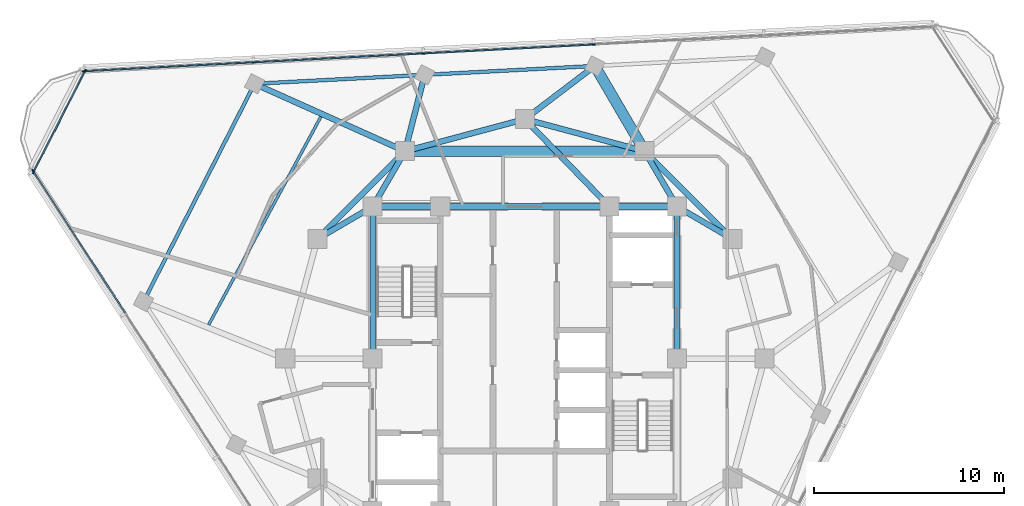
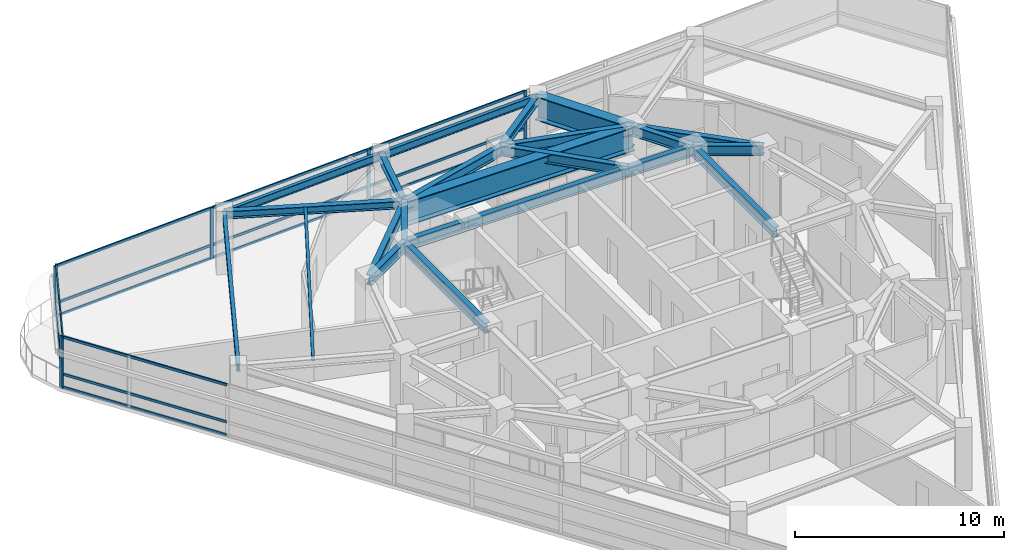
# One storey, part 5 of 15: 23 beams, 22 members, 3 elements without a shape of their own.
"""IFC4 building model written with IfcOpenShell, lengths in metres."""

from ifc_helpers import new_model, si_unit, direction, frame, origin, origin_2d, place, context, subcontext, project, spatial, rectangle, i_section, extrude, material, layer, layer_set, material_profile, profile_set, type_object, element, aggregate, save


model = new_model("IFC4")

# Units and contexts
model_context = context("Model", 3, precision=1e-05, world=origin(), true_north=direction((0.0, 1.0)))
body_context = subcontext(model_context, "Body", "Model", "MODEL_VIEW")
ifc_project = project(units=[si_unit("LENGTHUNIT", "METRE"), si_unit("AREAUNIT", "SQUARE_METRE"), si_unit("VOLUMEUNIT", "CUBIC_METRE"), si_unit("PLANEANGLEUNIT", "RADIAN"), si_unit("MASSUNIT", "GRAM", prefix="KILO")], contexts=[model_context])

# Site, building, storey
site_placement = place(None, origin())
site = spatial("IfcSite", under=ifc_project, at=site_placement, CompositionType="ELEMENT")
building_placement = place(site_placement, origin())
building = spatial("IfcBuilding", under=site, at=building_placement, Name="Terralouvre Media Tower", CompositionType="ELEMENT")
storey_placement = place(building_placement, frame((0.0, 0.0, 267.0)))
storey = spatial("IfcBuildingStorey", under=building, at=storey_placement, Name="L69", CompositionType="ELEMENT", Elevation=267.0)

# Beam
ifc_material_1 = material(Name="Structural steel S355J2", Category="steel")
ifc_material_profile_1 = material_profile(ifc_material_1, i_section(OverallWidth=0.14990234375, OverallDepth=0.300048828125, WebThickness=0.007080078125, FlangeThickness=0.0107421875, at=origin_2d()), Name="IPE 300")
ifc_profile_set_1 = profile_set([ifc_material_profile_1], Name="Structural steel S355J2")
beam_type_1 = type_object("IfcBeamType", Name="Composite Floor Joist J-IPE300 (IPE 300)", PredefinedType="JOIST", material=ifc_profile_set_1)
beam_1_placement = place(storey_placement, frame((-10.72509765625, 12.73046875, 3.35009765625), z_axis=(-0.47463118451, -0.880184775312, 0.0), x_axis=(0.880184775312, -0.47463118451, 0.0)))
element("IfcBeam", 1, at=beam_1_placement, inside=storey, type_object=beam_type_1, Name="L69 Framing Beam JT-L69-05", PredefinedType="JOIST", context=body_context, shape_type="SweptSolid", body=[
    extrude(i_section(OverallWidth=0.14990234375, OverallDepth=0.300048828125, WebThickness=0.007080078125, FlangeThickness=0.0107421875, at=origin_2d()), origin(), (0.0, 0.0, 1.0), 12.437255859375),
])

# Curtain wall, members
ifc_material_2 = material(Name="Low-iron laminated double glazing with solar-control coating", Category="glass")
ifc_layer_1 = layer(ifc_material_2, 0.1650390625, Name="Upper Executive Tower Curtain Wall CW-05")
ifc_layer_set_1 = layer_set([ifc_layer_1], Name="Low-iron laminated double glazing with solar-control coating")
curtain_wall_type_1 = type_object("IfcCurtainWallType", Name="Upper Executive Tower Curtain Wall CW-05", PredefinedType="NOTDEFINED", material=ifc_layer_set_1)
curtain_wall_1_placement = place(storey_placement, origin())
curtain_wall_1 = element("IfcCurtainWall", 2, at=curtain_wall_1_placement, inside=storey, type_object=curtain_wall_type_1, Name="L69 Facade Curtain Wall F1", PredefinedType="NOTDEFINED")
ifc_material_3 = material(Name="Anodised extruded aluminium 6063-T6", Category="aluminium")
ifc_material_profile_2 = material_profile(ifc_material_3, rectangle(XDim=0.074951171875, YDim=0.14990234375, at=origin_2d()), Name="ALU 75x150")
ifc_profile_set_2 = profile_set([ifc_material_profile_2], Name="Anodised extruded aluminium 6063-T6")
member_type_1 = type_object("IfcMemberType", Name="Curtain-Wall Horizontal Transom TR-150", PredefinedType="USERDEFINED", material=ifc_profile_set_2)
member_1_placement = place(storey_placement, frame((3.582763671875, 16.522705078125, 0.03759765625), z_axis=(-0.998630476572, -0.052317982208, 0.0), x_axis=(0.052317982208, -0.998630476572, 0.0)))
member_1 = element("IfcMember", 3, at=member_1_placement, type_object=member_type_1, Name="CW-05 transom 3.1", ObjectType="TRANSOM", PredefinedType="USERDEFINED", context=body_context, shape_type="SweptSolid", body=[
    extrude(rectangle(XDim=0.074951171875, YDim=0.14990234375, at=origin_2d()), origin(), (0.0, 0.0, 1.0), 8.885009765625),
])
member_2_placement = place(storey_placement, frame((3.582763671875, 16.522705078125, 0.800048828125), z_axis=(-0.998630476572, -0.052317982208, 0.0), x_axis=(0.052317982208, -0.998630476572, 0.0)))
member_2 = element("IfcMember", 4, at=member_2_placement, type_object=member_type_1, Name="CW-05 transom 3.2", ObjectType="TRANSOM", PredefinedType="USERDEFINED", context=body_context, shape_type="SweptSolid", body=[
    extrude(rectangle(XDim=0.074951171875, YDim=0.14990234375, at=origin_2d()), origin(), (0.0, 0.0, 1.0), 8.885009765625),
])
member_3_placement = place(storey_placement, frame((3.582763671875, 16.522705078125, 2.96240234375), z_axis=(-0.998630476572, -0.052317982208, 0.0), x_axis=(0.052317982208, -0.998630476572, 0.0)))
member_3 = element("IfcMember", 5, at=member_3_placement, type_object=member_type_1, Name="CW-05 transom 3.3", ObjectType="TRANSOM", PredefinedType="USERDEFINED", context=body_context, shape_type="SweptSolid", body=[
    extrude(rectangle(XDim=0.074951171875, YDim=0.14990234375, at=origin_2d()), origin(), (0.0, 0.0, 1.0), 8.885009765625),
])
member_4_placement = place(storey_placement, frame((-5.364990234375, 16.053955078125, 0.03759765625), z_axis=(-0.998629040577, -0.052345384869, 0.0), x_axis=(0.052345384869, -0.998629040577, 0.0)))
member_4 = element("IfcMember", 6, at=member_4_placement, type_object=member_type_1, Name="CW-05 transom 4.1", ObjectType="TRANSOM", PredefinedType="USERDEFINED", context=body_context, shape_type="SweptSolid", body=[
    extrude(rectangle(XDim=0.074951171875, YDim=0.14990234375, at=origin_2d()), origin(), (0.0, 0.0, 1.0), 8.885009765625),
])
member_5_placement = place(storey_placement, frame((-5.364990234375, 16.053955078125, 0.800048828125), z_axis=(-0.998629040577, -0.052345384869, 0.0), x_axis=(0.052345384869, -0.998629040577, 0.0)))
member_5 = element("IfcMember", 7, at=member_5_placement, type_object=member_type_1, Name="CW-05 transom 4.2", ObjectType="TRANSOM", PredefinedType="USERDEFINED", context=body_context, shape_type="SweptSolid", body=[
    extrude(rectangle(XDim=0.074951171875, YDim=0.14990234375, at=origin_2d()), origin(), (0.0, 0.0, 1.0), 8.885009765625),
])
member_6_placement = place(storey_placement, frame((-5.364990234375, 16.053955078125, 2.96240234375), z_axis=(-0.998629040577, -0.052345384869, 0.0), x_axis=(0.052345384869, -0.998629040577, 0.0)))
member_6 = element("IfcMember", 8, at=member_6_placement, type_object=member_type_1, Name="CW-05 transom 4.3", ObjectType="TRANSOM", PredefinedType="USERDEFINED", context=body_context, shape_type="SweptSolid", body=[
    extrude(rectangle(XDim=0.074951171875, YDim=0.14990234375, at=origin_2d()), origin(), (0.0, 0.0, 1.0), 8.885009765625),
])
member_7_placement = place(storey_placement, frame((-14.312744140625, 15.5849609375, 0.03759765625), z_axis=(-0.99862901196, -0.052345930801, 0.0), x_axis=(0.052345930801, -0.99862901196, 0.0)))
member_7 = element("IfcMember", 9, at=member_7_placement, type_object=member_type_1, Name="CW-05 transom 5.1", ObjectType="TRANSOM", PredefinedType="USERDEFINED", context=body_context, shape_type="SweptSolid", body=[
    extrude(rectangle(XDim=0.074951171875, YDim=0.14990234375, at=origin_2d()), origin(), (0.0, 0.0, 1.0), 8.84765625),
])
member_8_placement = place(storey_placement, frame((-14.312744140625, 15.5849609375, 0.800048828125), z_axis=(-0.99862901196, -0.052345930801, 0.0), x_axis=(0.052345930801, -0.99862901196, 0.0)))
member_8 = element("IfcMember", 10, at=member_8_placement, type_object=member_type_1, Name="CW-05 transom 5.2", ObjectType="TRANSOM", PredefinedType="USERDEFINED", context=body_context, shape_type="SweptSolid", body=[
    extrude(rectangle(XDim=0.074951171875, YDim=0.14990234375, at=origin_2d()), origin(), (0.0, 0.0, 1.0), 8.84765625),
])
member_9_placement = place(storey_placement, frame((-14.312744140625, 15.5849609375, 2.96240234375), z_axis=(-0.99862901196, -0.052345930801, 0.0), x_axis=(0.052345930801, -0.99862901196, 0.0)))
member_9 = element("IfcMember", 11, at=member_9_placement, type_object=member_type_1, Name="CW-05 transom 5.3", ObjectType="TRANSOM", PredefinedType="USERDEFINED", context=body_context, shape_type="SweptSolid", body=[
    extrude(rectangle(XDim=0.074951171875, YDim=0.14990234375, at=origin_2d()), origin(), (0.0, 0.0, 1.0), 8.84765625),
])

curtain_wall_2_placement = place(storey_placement, origin())
curtain_wall_2 = element("IfcCurtainWall", 12, at=curtain_wall_2_placement, inside=storey, type_object=curtain_wall_type_1, Name="L69 Facade Curtain Wall F2", PredefinedType="NOTDEFINED")
member_10_placement = place(storey_placement, frame((-25.840087890625, 9.8388671875, 0.03759765625), z_axis=(0.5446498072, -0.838663572308, 0.0), x_axis=(0.838663572308, 0.5446498072, 0.0)))
member_10 = element("IfcMember", 13, at=member_10_placement, type_object=member_type_1, Name="CW-05 transom 1.1", ObjectType="TRANSOM", PredefinedType="USERDEFINED", context=body_context, shape_type="SweptSolid", body=[
    extrude(rectangle(XDim=0.074951171875, YDim=0.14990234375, at=origin_2d()), origin(), (0.0, 0.0, 1.0), 8.84765625),
])
member_11_placement = place(storey_placement, frame((-25.840087890625, 9.8388671875, 0.800048828125), z_axis=(0.5446498072, -0.838663572308, 0.0), x_axis=(0.838663572308, 0.5446498072, 0.0)))
member_11 = element("IfcMember", 14, at=member_11_placement, type_object=member_type_1, Name="CW-05 transom 1.2", ObjectType="TRANSOM", PredefinedType="USERDEFINED", context=body_context, shape_type="SweptSolid", body=[
    extrude(rectangle(XDim=0.074951171875, YDim=0.14990234375, at=origin_2d()), origin(), (0.0, 0.0, 1.0), 8.84765625),
])
member_12_placement = place(storey_placement, frame((-25.840087890625, 9.8388671875, 2.96240234375), z_axis=(0.5446498072, -0.838663572308, 0.0), x_axis=(0.838663572308, 0.5446498072, 0.0)))
member_12 = element("IfcMember", 15, at=member_12_placement, type_object=member_type_1, Name="CW-05 transom 1.3", ObjectType="TRANSOM", PredefinedType="USERDEFINED", context=body_context, shape_type="SweptSolid", body=[
    extrude(rectangle(XDim=0.074951171875, YDim=0.14990234375, at=origin_2d()), origin(), (0.0, 0.0, 1.0), 8.84765625),
])

ifc_material_4 = material(Name="Low-iron laminated double glazing with solar-control coating", Category="glass")
ifc_layer_2 = layer(ifc_material_4, 0.1650390625, Name="Rounded Wind-Corner Curved Glazing CW-04")
ifc_layer_set_2 = layer_set([ifc_layer_2], Name="Low-iron laminated double glazing with solar-control coating")
curtain_wall_type_2 = type_object("IfcCurtainWallType", Name="Rounded Wind-Corner Curved Glazing CW-04", PredefinedType="NOTDEFINED", material=ifc_layer_set_2)
curtain_wall_3_placement = place(storey_placement, origin())
curtain_wall_3 = element("IfcCurtainWall", 16, at=curtain_wall_3_placement, inside=storey, type_object=curtain_wall_type_2, Name="L69 Rounded Wind-Corner Curtain Wall C2", PredefinedType="NOTDEFINED")
member_13_placement = place(storey_placement, frame((-23.138671875, 15.107421875, 0.03759765625), z_axis=(-0.453989495794, -0.891007035724, 0.0), x_axis=(0.891007035724, -0.453989495794, 0.0)))
member_13 = element("IfcMember", 17, at=member_13_placement, type_object=member_type_1, Name="CW-04 transom 1.1", ObjectType="TRANSOM", PredefinedType="USERDEFINED", context=body_context, shape_type="SweptSolid", body=[
    extrude(rectangle(XDim=0.074951171875, YDim=0.14990234375, at=origin_2d()), origin(), (0.0, 0.0, 1.0), 5.912109375),
])
member_14_placement = place(storey_placement, frame((-23.138671875, 15.107421875, 0.800048828125), z_axis=(-0.453989495794, -0.891007035724, 0.0), x_axis=(0.891007035724, -0.453989495794, 0.0)))
member_14 = element("IfcMember", 18, at=member_14_placement, type_object=member_type_1, Name="CW-04 transom 1.2", ObjectType="TRANSOM", PredefinedType="USERDEFINED", context=body_context, shape_type="SweptSolid", body=[
    extrude(rectangle(XDim=0.074951171875, YDim=0.14990234375, at=origin_2d()), origin(), (0.0, 0.0, 1.0), 5.912109375),
])
member_15_placement = place(storey_placement, frame((-23.138671875, 15.107421875, 2.96240234375), z_axis=(-0.453989495794, -0.891007035724, 0.0), x_axis=(0.891007035724, -0.453989495794, 0.0)))
member_15 = element("IfcMember", 19, at=member_15_placement, type_object=member_type_1, Name="CW-04 transom 1.3", ObjectType="TRANSOM", PredefinedType="USERDEFINED", context=body_context, shape_type="SweptSolid", body=[
    extrude(rectangle(XDim=0.074951171875, YDim=0.14990234375, at=origin_2d()), origin(), (0.0, 0.0, 1.0), 5.912109375),
])

# Member
ifc_material_5 = material(Name="Anodised extruded aluminium 6063-T6", Category="aluminium")
ifc_material_profile_3 = material_profile(ifc_material_5, rectangle(XDim=0.074951171875, YDim=0.179931640625, at=origin_2d()), Name="ALU 75x180")
ifc_profile_set_3 = profile_set([ifc_material_profile_3], Name="Anodised extruded aluminium 6063-T6")
member_type_2 = type_object("IfcMemberType", Name="Curtain-Wall Vertical Mullion ML-180", PredefinedType="MULLION", material=ifc_profile_set_3)
member_16_placement = place(storey_placement, frame((3.6201171875, 16.524658203125, 0.0), z_axis=(0.0, 0.0, 1.0), x_axis=(0.052336163844, -0.998629523875, 0.0)))
member_16 = element("IfcMember", 20, at=member_16_placement, type_object=member_type_2, Name="CW-05 mullion 3", PredefinedType="MULLION", context=body_context, shape_type="SweptSolid", body=[
    extrude(rectangle(XDim=0.074951171875, YDim=0.179931640625, at=origin_2d()), origin(), (0.0, 0.0, 1.0), 3.0),
])

member_17_placement = place(storey_placement, frame((-5.32763671875, 16.055908203125, 0.0), z_axis=(0.0, 0.0, 1.0), x_axis=(0.052336163844, -0.998629523875, 0.0)))
member_17 = element("IfcMember", 21, at=member_17_placement, type_object=member_type_2, Name="CW-05 mullion 4", PredefinedType="MULLION", context=body_context, shape_type="SweptSolid", body=[
    extrude(rectangle(XDim=0.074951171875, YDim=0.179931640625, at=origin_2d()), origin(), (0.0, 0.0, 1.0), 3.0),
])

member_18_placement = place(storey_placement, frame((-14.275390625, 15.5869140625, 0.0), z_axis=(0.0, 0.0, 1.0), x_axis=(0.052336163844, -0.998629523875, 0.0)))
member_18 = element("IfcMember", 22, at=member_18_placement, type_object=member_type_2, Name="CW-05 mullion 5", PredefinedType="MULLION", context=body_context, shape_type="SweptSolid", body=[
    extrude(rectangle(XDim=0.074951171875, YDim=0.179931640625, at=origin_2d()), origin(), (0.0, 0.0, 1.0), 3.0),
])

member_19_placement = place(storey_placement, frame((-23.185546875, 15.119873046875, 0.0), z_axis=(0.0, 0.0, 1.0), x_axis=(0.052336163844, -0.998629523875, 0.0)))
member_19 = element("IfcMember", 23, at=member_19_placement, type_object=member_type_2, Name="CW-05 mullion 6", PredefinedType="MULLION", context=body_context, shape_type="SweptSolid", body=[
    extrude(rectangle(XDim=0.074951171875, YDim=0.179931640625, at=origin_2d()), origin(), (0.0, 0.0, 1.0), 3.0),
])

aggregate(curtain_wall_1, [member_16, member_17, member_18, member_19, member_1, member_2, member_3, member_4, member_5, member_6, member_7, member_8, member_9])

member_20_placement = place(storey_placement, frame((-25.8603515625, 9.870361328125, 0.0), z_axis=(0.0, 0.0, 1.0), x_axis=(0.838670545826, 0.544639069077, 0.0)))
member_20 = element("IfcMember", 24, at=member_20_placement, type_object=member_type_2, Name="CW-05 mullion 1", PredefinedType="MULLION", context=body_context, shape_type="SweptSolid", body=[
    extrude(rectangle(XDim=0.074951171875, YDim=0.179931640625, at=origin_2d()), origin(), (0.0, 0.0, 1.0), 3.0),
])

aggregate(curtain_wall_2, [member_20, member_10, member_11, member_12])

member_21_placement = place(storey_placement, frame((-23.12158203125, 15.140869140625, 0.0), z_axis=(0.0, 0.0, 1.0), x_axis=(0.891006600517, -0.453990349937, 0.0)))
member_21 = element("IfcMember", 25, at=member_21_placement, type_object=member_type_2, Name="CW-04 mullion 1", PredefinedType="MULLION", context=body_context, shape_type="SweptSolid", body=[
    extrude(rectangle(XDim=0.074951171875, YDim=0.179931640625, at=origin_2d()), origin(), (0.0, 0.0, 1.0), 3.0),
])

member_22_placement = place(storey_placement, frame((-25.83984375, 9.80615234375, 0.0), z_axis=(0.0, 0.0, 1.0), x_axis=(0.891006600517, -0.453990349937, 0.0)))
member_22 = element("IfcMember", 26, at=member_22_placement, type_object=member_type_2, Name="CW-04 mullion 2", PredefinedType="MULLION", context=body_context, shape_type="SweptSolid", body=[
    extrude(rectangle(XDim=0.074951171875, YDim=0.179931640625, at=origin_2d()), origin(), (0.0, 0.0, 1.0), 3.0),
])

aggregate(curtain_wall_3, [member_21, member_22, member_13, member_14, member_15])

# Beams
ifc_material_6 = material(Name="Structural steel S355J2", Category="steel")
ifc_material_profile_4 = material_profile(ifc_material_6, i_section(OverallWidth=0.18994140625, OverallDepth=0.449951171875, WebThickness=0.009521484375, FlangeThickness=0.0146484375, at=origin_2d()), Name="IPE 450")
ifc_profile_set_4 = profile_set([ifc_material_profile_4], Name="Structural steel S355J2")
beam_type_2 = type_object("IfcBeamType", Name="Perimeter Spandrel Beam SPB-450 (IPE 450)", PredefinedType="SPANDREL", material=ifc_profile_set_4)
for number, where, z_axis, x_axis, name in (
    (27, (3.67919921875, 15.396240234375, 3.264892578125), (-0.998630595649, -0.05231570924, 0.0), (0.05231570924, -0.998630595649, 0.0), "L69 Framing Beam BM-L69-PR09"),
    (28, (-5.2685546875, 14.927490234375, 3.264892578125), (-0.998629171747, -0.052342882372, 0.0), (0.052342882372, -0.998629171747, 0.0), "L69 Framing Beam BM-L69-PR10"),
):
    element("IfcBeam", number, at=place(storey_placement, frame(where, z_axis=z_axis, x_axis=x_axis)), inside=storey, type_object=beam_type_2, Name=name, PredefinedType="SPANDREL", context=body_context, shape_type="SweptSolid", body=[
        extrude(i_section(OverallWidth=0.18994140625, OverallDepth=0.449951171875, WebThickness=0.009521484375, FlangeThickness=0.0146484375, at=origin_2d()), origin(), (0.0, 0.0, 1.0), 8.9599609375),
    ])
beam_2_placement = place(storey_placement, frame((-14.21630859375, 14.45849609375, 3.27490234375), z_axis=(-0.453983525005, -0.891010077958, 0.0), x_axis=(0.891010077958, -0.453983525005, 0.0)))
element("IfcBeam", 29, at=beam_2_placement, inside=storey, type_object=beam_type_2, Name="L69 Framing Beam BM-L69-PR11", PredefinedType="SPANDREL", context=body_context, shape_type="SweptSolid", body=[
    extrude(i_section(OverallWidth=0.18994140625, OverallDepth=0.449951171875, WebThickness=0.009521484375, FlangeThickness=0.0146484375, at=origin_2d()), origin(), (0.0, 0.0, 1.0), 12.857177734375),
])
ifc_material_7 = material(Name="Structural steel S355J2", Category="steel")
ifc_material_profile_5 = material_profile(ifc_material_7, i_section(OverallWidth=0.300048828125, OverallDepth=0.449951171875, WebThickness=0.013916015625, FlangeThickness=0.02587890625, at=origin_2d()), Name="HEB 450")
ifc_profile_set_5 = profile_set([ifc_material_profile_5], Name="Structural steel S355J2")
beam_type_3 = type_object("IfcBeamType", Name="Primary Floor Girder B-HEB450 (HEB 450)", PredefinedType="BEAM", material=ifc_profile_set_5)
beam_3_placement = place(storey_placement, frame((0.0, 12.60009765625, 3.264892578125), z_axis=(0.796167284329, 0.605076569836, 0.0), x_axis=(-0.605076569836, 0.796167284329, 0.0)))
element("IfcBeam", 30, at=beam_3_placement, inside=storey, type_object=beam_type_3, Name="L69 Framing Beam BM-L69-RD09", PredefinedType="BEAM", context=body_context, shape_type="SweptSolid", body=[
    extrude(i_section(OverallWidth=0.300048828125, OverallDepth=0.449951171875, WebThickness=0.013916015625, FlangeThickness=0.02587890625, at=origin_2d()), origin(), (0.0, 0.0, 1.0), 4.62109375),
])
beam_4_placement = place(storey_placement, frame((-6.300048828125, 10.911865234375, 3.264892578125), z_axis=(0.248793268672, 0.968556611388, 0.0), x_axis=(-0.968556611388, 0.248793268672, 0.0)))
element("IfcBeam", 31, at=beam_4_placement, inside=storey, type_object=beam_type_3, Name="L69 Framing Beam BM-L69-RD10", PredefinedType="BEAM", context=body_context, shape_type="SweptSolid", body=[
    extrude(i_section(OverallWidth=0.300048828125, OverallDepth=0.449951171875, WebThickness=0.013916015625, FlangeThickness=0.02587890625, at=origin_2d()), origin(), (0.0, 0.0, 1.0), 4.14599609375),
])
beam_5_placement = place(storey_placement, frame((-6.300048828125, 10.911865234375, 3.27490234375), z_axis=(-0.912596970607, 0.408860329746, 0.0), x_axis=(-0.408860329746, -0.912596970607, 0.0)))
element("IfcBeam", 32, at=beam_5_placement, inside=storey, type_object=beam_type_3, Name="L69 Framing Beam BM-L69-RD11", PredefinedType="BEAM", context=body_context, shape_type="SweptSolid", body=[
    extrude(i_section(OverallWidth=0.300048828125, OverallDepth=0.449951171875, WebThickness=0.013916015625, FlangeThickness=0.02587890625, at=origin_2d()), origin(), (0.0, 0.0, 1.0), 8.67431640625),
])
ifc_material_8 = material(Name="Structural steel S460M", Category="steel")
ifc_material_profile_6 = material_profile(ifc_material_8, i_section(OverallWidth=0.300048828125, OverallDepth=0.60009765625, WebThickness=0.015380859375, FlangeThickness=0.030029296875, at=origin_2d()), Name="HEB 600")
ifc_profile_set_6 = profile_set([ifc_material_profile_6], Name="Structural steel S460M")
beam_type_4 = type_object("IfcBeamType", Name="Primary Floor Girder B-HEB600 (HEB 600)", PredefinedType="BEAM", material=ifc_profile_set_6)
beam_6_placement = place(storey_placement, frame((8.0, 0.0, 3.199951171875), z_axis=(0.0, 1.0, 0.0), x_axis=(-1.0, 0.0, 0.0)))
element("IfcBeam", 33, at=beam_6_placement, inside=storey, type_object=beam_type_4, Name="L69 Framing Beam BM-L69-CPR05", PredefinedType="BEAM", context=body_context, shape_type="SweptSolid", body=[
    extrude(i_section(OverallWidth=0.300048828125, OverallDepth=0.60009765625, WebThickness=0.015380859375, FlangeThickness=0.030029296875, at=origin_2d()), origin(), (0.0, 0.0, 1.0), 8.0),
])
beam_7_placement = place(storey_placement, frame((8.0, 8.0, 3.199951171875), z_axis=(-1.0, 0.0, 0.0), x_axis=(0.0, -1.0, 0.0)))
element("IfcBeam", 34, at=beam_7_placement, inside=storey, type_object=beam_type_4, Name="L69 Framing Beam BM-L69-CPR06", PredefinedType="BEAM", context=body_context, shape_type="SweptSolid", body=[
    extrude(i_section(OverallWidth=0.300048828125, OverallDepth=0.60009765625, WebThickness=0.015380859375, FlangeThickness=0.030029296875, at=origin_2d()), origin(), (0.0, 0.0, 1.0), 3.550048828125),
])
beam_8_placement = place(storey_placement, frame((4.449951171875, 8.0, 3.199951171875), z_axis=(-1.0, 0.0, 0.0), x_axis=(0.0, -1.0, 0.0)))
element("IfcBeam", 35, at=beam_8_placement, inside=storey, type_object=beam_type_4, Name="L69 Framing Beam BM-L69-CPR07", PredefinedType="BEAM", context=body_context, shape_type="SweptSolid", body=[
    extrude(i_section(OverallWidth=0.300048828125, OverallDepth=0.60009765625, WebThickness=0.015380859375, FlangeThickness=0.030029296875, at=origin_2d()), origin(), (0.0, 0.0, 1.0), 8.89990234375),
])
beam_9_placement = place(storey_placement, frame((-4.449951171875, 8.0, 3.199951171875), z_axis=(-1.0, 0.0, 0.0), x_axis=(0.0, -1.0, 0.0)))
element("IfcBeam", 36, at=beam_9_placement, inside=storey, type_object=beam_type_4, Name="L69 Framing Beam BM-L69-CPR08", PredefinedType="BEAM", context=body_context, shape_type="SweptSolid", body=[
    extrude(i_section(OverallWidth=0.300048828125, OverallDepth=0.60009765625, WebThickness=0.015380859375, FlangeThickness=0.030029296875, at=origin_2d()), origin(), (0.0, 0.0, 1.0), 3.550048828125),
])
beam_10_placement = place(storey_placement, frame((-8.0, 8.0, 3.199951171875), z_axis=(0.0, -1.0, 0.0), x_axis=(1.0, 0.0, 0.0)))
element("IfcBeam", 37, at=beam_10_placement, inside=storey, type_object=beam_type_4, Name="L69 Framing Beam BM-L69-CPR09", PredefinedType="BEAM", context=body_context, shape_type="SweptSolid", body=[
    extrude(i_section(OverallWidth=0.300048828125, OverallDepth=0.60009765625, WebThickness=0.015380859375, FlangeThickness=0.030029296875, at=origin_2d()), origin(), (0.0, 0.0, 1.0), 8.0),
])
beam_11_placement = place(storey_placement, frame((10.911865234375, 6.300048828125, 3.199951171875), z_axis=(-0.707106781187, 0.707106781187, 0.0), x_axis=(-0.707106781187, -0.707106781187, 0.0)))
element("IfcBeam", 38, at=beam_11_placement, inside=storey, type_object=beam_type_4, Name="L69 Framing Beam BM-L69-MR07", PredefinedType="BEAM", context=body_context, shape_type="SweptSolid", body=[
    extrude(i_section(OverallWidth=0.300048828125, OverallDepth=0.60009765625, WebThickness=0.015380859375, FlangeThickness=0.030029296875, at=origin_2d()), origin(), (0.0, 0.0, 1.0), 6.52197265625),
])
for number, where, z_axis, x_axis, name in (
    (39, (6.300048828125, 10.911865234375, 3.199951171875), (-0.965920481897, 0.258838989821, 0.0), (-0.258838989821, -0.965920481897, 0.0), "L69 Framing Beam BM-L69-MR08"),
    (40, (0.0, 12.60009765625, 3.199951171875), (-0.965920481897, -0.258838989821, 0.0), (0.258838989821, -0.965920481897, 0.0), "L69 Framing Beam BM-L69-MR09"),
):
    element("IfcBeam", number, at=place(storey_placement, frame(where, z_axis=z_axis, x_axis=x_axis)), inside=storey, type_object=beam_type_4, Name=name, PredefinedType="BEAM", context=body_context, shape_type="SweptSolid", body=[
        extrude(i_section(OverallWidth=0.300048828125, OverallDepth=0.60009765625, WebThickness=0.015380859375, FlangeThickness=0.030029296875, at=origin_2d()), origin(), (0.0, 0.0, 1.0), 6.522216796875),
    ])
beam_12_placement = place(storey_placement, frame((-6.300048828125, 10.911865234375, 3.199951171875), z_axis=(-0.707106781187, -0.707106781187, 0.0), x_axis=(0.707106781187, -0.707106781187, 0.0)))
element("IfcBeam", 41, at=beam_12_placement, inside=storey, type_object=beam_type_4, Name="L69 Framing Beam BM-L69-MR10", PredefinedType="BEAM", context=body_context, shape_type="SweptSolid", body=[
    extrude(i_section(OverallWidth=0.300048828125, OverallDepth=0.60009765625, WebThickness=0.015380859375, FlangeThickness=0.030029296875, at=origin_2d()), origin(), (0.0, 0.0, 1.0), 6.52197265625),
])
for number, where, z_axis, x_axis, name in (
    (42, (8.0, 8.0, 3.199951171875), (0.863602894532, -0.504172629717, 0.0), (0.504172629717, 0.863602894532, 0.0), "L69 Framing Beam BM-L69-CM07"),
    (43, (8.0, 8.0, 3.199951171875), (-0.504172629717, 0.863602894532, 0.0), (-0.863602894532, -0.504172629717, 0.0), "L69 Framing Beam BM-L69-CM08"),
):
    element("IfcBeam", number, at=place(storey_placement, frame(where, z_axis=z_axis, x_axis=x_axis)), inside=storey, type_object=beam_type_4, Name=name, PredefinedType="BEAM", context=body_context, shape_type="SweptSolid", body=[
        extrude(i_section(OverallWidth=0.300048828125, OverallDepth=0.60009765625, WebThickness=0.015380859375, FlangeThickness=0.030029296875, at=origin_2d()), origin(), (0.0, 0.0, 1.0), 3.371826171875),
    ])
beam_13_placement = place(storey_placement, frame((4.449951171875, 8.0, 3.199951171875), z_axis=(-0.695279715726, 0.718739255155, 0.0), x_axis=(-0.718739255155, -0.695279715726, 0.0)))
element("IfcBeam", 44, at=beam_13_placement, inside=storey, type_object=beam_type_4, Name="L69 Framing Beam BM-L69-CM09", PredefinedType="BEAM", context=body_context, shape_type="SweptSolid", body=[
    extrude(i_section(OverallWidth=0.300048828125, OverallDepth=0.60009765625, WebThickness=0.015380859375, FlangeThickness=0.030029296875, at=origin_2d()), origin(), (0.0, 0.0, 1.0), 6.400146484375),
])
for number, where, z_axis, x_axis, name in (
    (45, (-8.0, 8.0, 3.199951171875), (0.504172629717, 0.863602894532, 0.0), (-0.863602894532, 0.504172629717, 0.0), "L69 Framing Beam BM-L69-CM10"),
    (46, (-8.0, 8.0, 3.199951171875), (-0.863602894532, -0.504172629717, 0.0), (0.504172629717, -0.863602894532, 0.0), "L69 Framing Beam BM-L69-CM11"),
):
    element("IfcBeam", number, at=place(storey_placement, frame(where, z_axis=z_axis, x_axis=x_axis)), inside=storey, type_object=beam_type_4, Name=name, PredefinedType="BEAM", context=body_context, shape_type="SweptSolid", body=[
        extrude(i_section(OverallWidth=0.300048828125, OverallDepth=0.60009765625, WebThickness=0.015380859375, FlangeThickness=0.030029296875, at=origin_2d()), origin(), (0.0, 0.0, 1.0), 3.371826171875),
    ])
ifc_material_9 = material(Name="Structural steel S460M", Category="steel")
ifc_material_profile_7 = material_profile(ifc_material_9, i_section(OverallWidth=0.56005859375, OverallDepth=1.39990234375, WebThickness=0.031982421875, FlangeThickness=0.050048828125, at=origin_2d()), Name="TG 1400x560")
ifc_profile_set_7 = profile_set([ifc_material_profile_7], Name="Structural steel S460M")
beam_type_5 = type_object("IfcBeamType", Name="Welded Transfer Girder TG-1400 (TG 1400x560)", PredefinedType="USERDEFINED", material=ifc_profile_set_7)
beam_14_placement = place(storey_placement, frame((6.300048828125, 10.911865234375, 2.7900390625), z_axis=(-0.50458394513, 0.863362636623, 0.0), x_axis=(-0.863362636623, -0.50458394513, 0.0)))
element("IfcBeam", 47, at=beam_14_placement, inside=storey, type_object=beam_type_5, Name="L69 Framing Beam BM-L69-SG02", ObjectType="TRANSFER GIRDER", PredefinedType="USERDEFINED", context=body_context, shape_type="SweptSolid", body=[
    extrude(i_section(OverallWidth=0.56005859375, OverallDepth=1.39990234375, WebThickness=0.031982421875, FlangeThickness=0.050048828125, at=origin_2d()), origin(), (0.0, 0.0, 1.0), 5.194091796875),
])
beam_15_placement = place(storey_placement, frame((6.300048828125, 10.911865234375, 2.800048828125), z_axis=(-1.0, 0.0, 0.0), x_axis=(0.0, -1.0, 0.0)))
element("IfcBeam", 48, at=beam_15_placement, inside=storey, type_object=beam_type_5, Name="L69 Framing Beam BM-L69-SG04", ObjectType="TRANSFER GIRDER", PredefinedType="USERDEFINED", context=body_context, shape_type="SweptSolid", body=[
    extrude(i_section(OverallWidth=0.56005859375, OverallDepth=1.39990234375, WebThickness=0.031982421875, FlangeThickness=0.050048828125, at=origin_2d()), origin(), (0.0, 0.0, 1.0), 12.60009765625),
])

save(model, "model.ifc")
